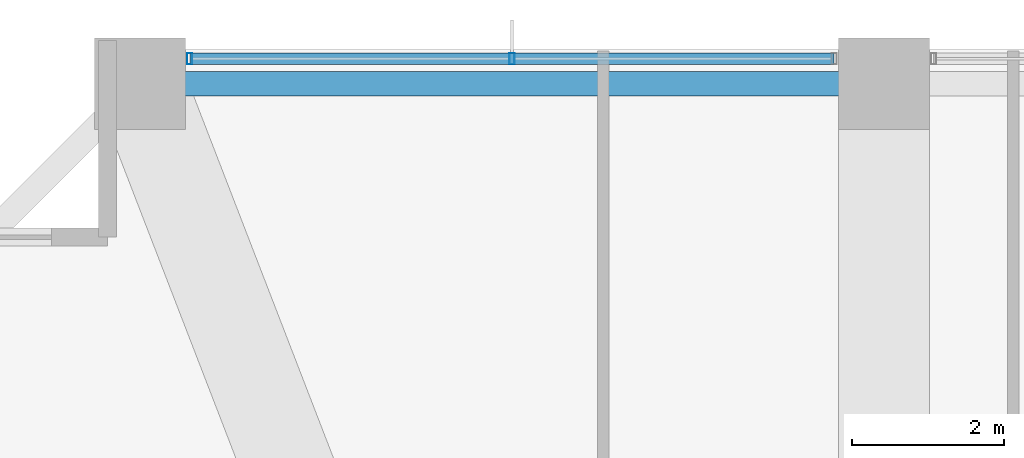
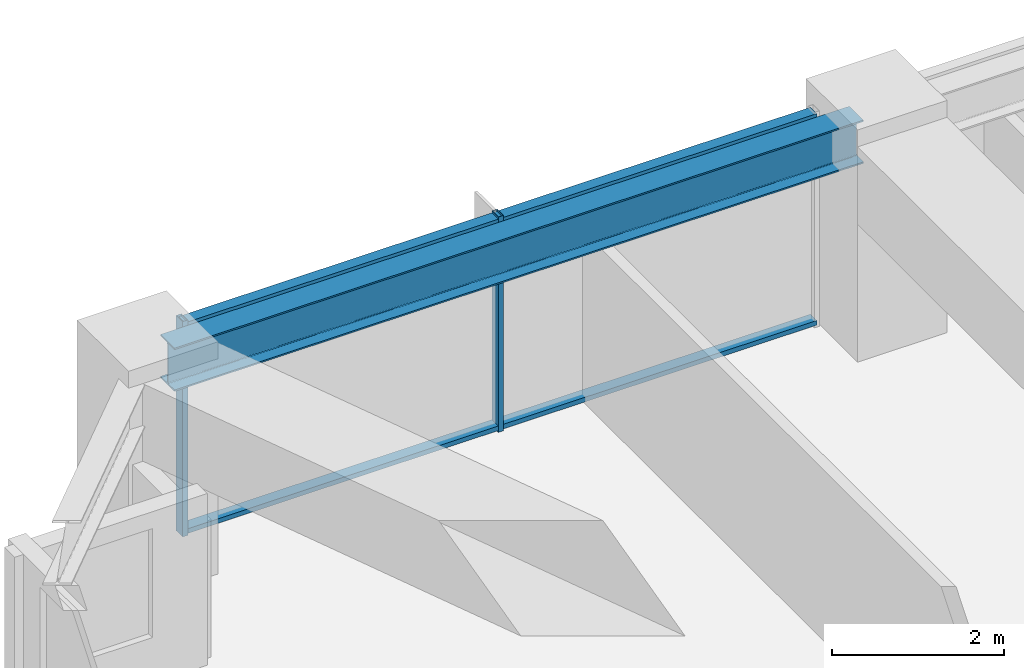
# One storey, part 19 of 37: 4 members, 1 beam, 1 element without a shape of its own.
"""IFC4 building model written with IfcOpenShell, lengths in metres."""

from ifc_helpers import new_model, si_unit, direction, frame, origin, origin_2d, place, context, subcontext, project, spatial, hollow_rectangle, i_section, extrude, material, material_profile, profile_set, type_object, element, aggregate, save


model = new_model("IFC4")

# Units and contexts
model_context = context("Model", 3, precision=1e-05, world=origin(), true_north=direction((0.0, 1.0)))
body_context = subcontext(model_context, "Body", "Model", "MODEL_VIEW")
ifc_project = project(units=[si_unit("LENGTHUNIT", "METRE"), si_unit("AREAUNIT", "SQUARE_METRE"), si_unit("VOLUMEUNIT", "CUBIC_METRE"), si_unit("PLANEANGLEUNIT", "RADIAN"), si_unit("MASSUNIT", "GRAM", prefix="KILO")], contexts=[model_context])

# Site, building, storey
site_placement = place(None, origin())
site = spatial("IfcSite", under=ifc_project, at=site_placement, CompositionType="ELEMENT")
building_placement = place(site_placement, origin())
building = spatial("IfcBuilding", under=site, at=building_placement, Name="Kolvaren Belvedere", CompositionType="ELEMENT")
storey_placement = place(building_placement, frame((0.0, 0.0, 37.0)))
storey = spatial("IfcBuildingStorey", under=building, at=storey_placement, Name="L10", CompositionType="ELEMENT", Elevation=37.0)

# Beam
ifc_material_1 = material(Name="Structural steel ASTM A992 Grade 50", Category="steel")
ifc_material_profile_1 = material_profile(ifc_material_1, i_section(OverallWidth=0.324951171875, OverallDepth=0.615966796875, WebThickness=0.013916015625, FlangeThickness=0.021484375, FilletRadius=0.02001953125, at=origin_2d()), Name="W24X117")
ifc_profile_set_1 = profile_set([ifc_material_profile_1], Name="Structural steel ASTM A992 Grade 50")
beam_type = type_object("IfcBeamType", Name="BM-SPAN-W24X117", PredefinedType="SPANDREL", material=ifc_profile_set_1)
beam_placement = place(storey_placement, frame((-4.8701171875, 21.550048828125, 2.751953125), z_axis=(-1.0, 0.0, 0.0), x_axis=(0.0, -1.0, 0.0)))
element("IfcBeam", 1, at=beam_placement, inside=storey, type_object=beam_type, Name="L10 Perimeter Spandrel N2-N1", PredefinedType="SPANDREL", context=body_context, shape_type="SweptSolid", body=[
    extrude(i_section(OverallWidth=0.324951171875, OverallDepth=0.615966796875, WebThickness=0.013916015625, FlangeThickness=0.021484375, FilletRadius=0.02001953125, at=origin_2d()), origin(), (0.0, 0.0, 1.0), 9.259765625),
])

# Curtain wall, members
ifc_material_2 = material(Name="Anodised pale-metal aluminium AA 6063-T6", Category="aluminium")
curtain_wall_type = type_object("IfcCurtainWallType", Name="CW-Z1-LOW", PredefinedType="NOTDEFINED", material=ifc_material_2)
curtain_wall_placement = place(storey_placement, origin())
curtain_wall = element("IfcCurtainWall", 2, at=curtain_wall_placement, inside=storey, type_object=curtain_wall_type, Name="L10 Unitised Curtain Wall FCW-L10-N-B1", PredefinedType="NOTDEFINED")
ifc_material_3 = material(Name="Anodised pale-metal aluminium AA 6063-T6", Category="aluminium")
ifc_material_profile_2 = material_profile(ifc_material_3, hollow_rectangle(XDim=0.070068359375, YDim=0.14990234375, WallThickness=0.004150390625, at=origin_2d()), Name="ALU-MUL-150X70")
ifc_profile_set_2 = profile_set([ifc_material_profile_2], Name="Anodised pale-metal aluminium AA 6063-T6")
member_type_1 = type_object("IfcMemberType", Name="CW-MUL-150", PredefinedType="MULLION", material=ifc_profile_set_2)
member_1_placement = place(storey_placement, frame((-13.7451171875, 21.8798828125, 0.0), z_axis=(0.0, 0.0, 1.0), x_axis=(1.0, 0.0, 0.0)))
member_1 = element("IfcMember", 3, at=member_1_placement, type_object=member_type_1, Name="FCW-L10-N-B1 Unitised Mullion 1", PredefinedType="MULLION", context=body_context, shape_type="SweptSolid", body=[
    extrude(hollow_rectangle(XDim=0.070068359375, YDim=0.14990234375, WallThickness=0.004150390625, at=origin_2d()), origin(), (0.0, 0.0, 1.0), 3.06005859375),
])
member_2_placement = place(storey_placement, frame((-9.5, 21.8798828125, 0.0), z_axis=(0.0, 0.0, 1.0), x_axis=(1.0, 0.0, 0.0)))
member_2 = element("IfcMember", 4, at=member_2_placement, type_object=member_type_1, Name="FCW-L10-N-B1 Unitised Mullion 2", PredefinedType="MULLION", context=body_context, shape_type="SweptSolid", body=[
    extrude(hollow_rectangle(XDim=0.070068359375, YDim=0.14990234375, WallThickness=0.004150390625, at=origin_2d()), origin(), (0.0, 0.0, 1.0), 3.06005859375),
])
ifc_material_4 = material(Name="Anodised pale-metal aluminium AA 6063-T6", Category="aluminium")
ifc_material_profile_3 = material_profile(ifc_material_4, hollow_rectangle(XDim=0.06494140625, YDim=0.14990234375, WallThickness=0.00390625, at=origin_2d()), Name="ALU-TRN-150X65")
ifc_profile_set_3 = profile_set([ifc_material_profile_3], Name="Anodised pale-metal aluminium AA 6063-T6")
member_type_2 = type_object("IfcMemberType", Name="CW-TRN-150", PredefinedType="USERDEFINED", material=ifc_profile_set_3)
member_3_placement = place(storey_placement, frame((-13.7451171875, 21.8798828125, 0.06005859375), z_axis=(1.0, 0.0, 0.0), x_axis=(0.0, 0.0, 1.0)))
member_3 = element("IfcMember", 5, at=member_3_placement, type_object=member_type_2, Name="FCW-L10-N-B1 Sill Transom", ObjectType="TRANSOM", PredefinedType="USERDEFINED", context=body_context, shape_type="SweptSolid", body=[
    extrude(hollow_rectangle(XDim=0.06494140625, YDim=0.14990234375, WallThickness=0.00390625, at=origin_2d()), origin(), (0.0, 0.0, 1.0), 8.490234375),
])
member_4_placement = place(storey_placement, frame((-13.7451171875, 21.8798828125, 3.0), z_axis=(1.0, 0.0, 0.0), x_axis=(0.0, 0.0, 1.0)))
member_4 = element("IfcMember", 6, at=member_4_placement, type_object=member_type_2, Name="FCW-L10-N-B1 Head Transom", ObjectType="TRANSOM", PredefinedType="USERDEFINED", context=body_context, shape_type="SweptSolid", body=[
    extrude(hollow_rectangle(XDim=0.06494140625, YDim=0.14990234375, WallThickness=0.00390625, at=origin_2d()), origin(), (0.0, 0.0, 1.0), 8.490234375),
])
aggregate(curtain_wall, [member_1, member_2, member_3, member_4])

save(model, "model.ifc")
